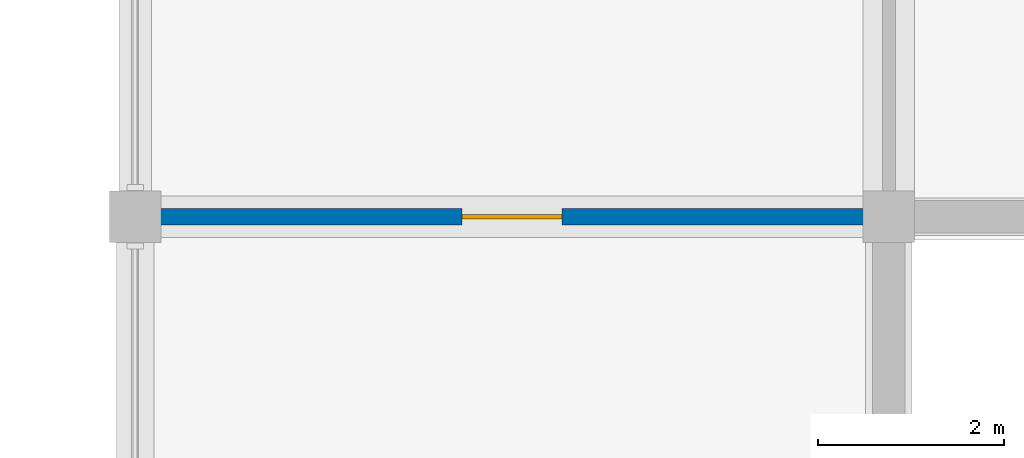
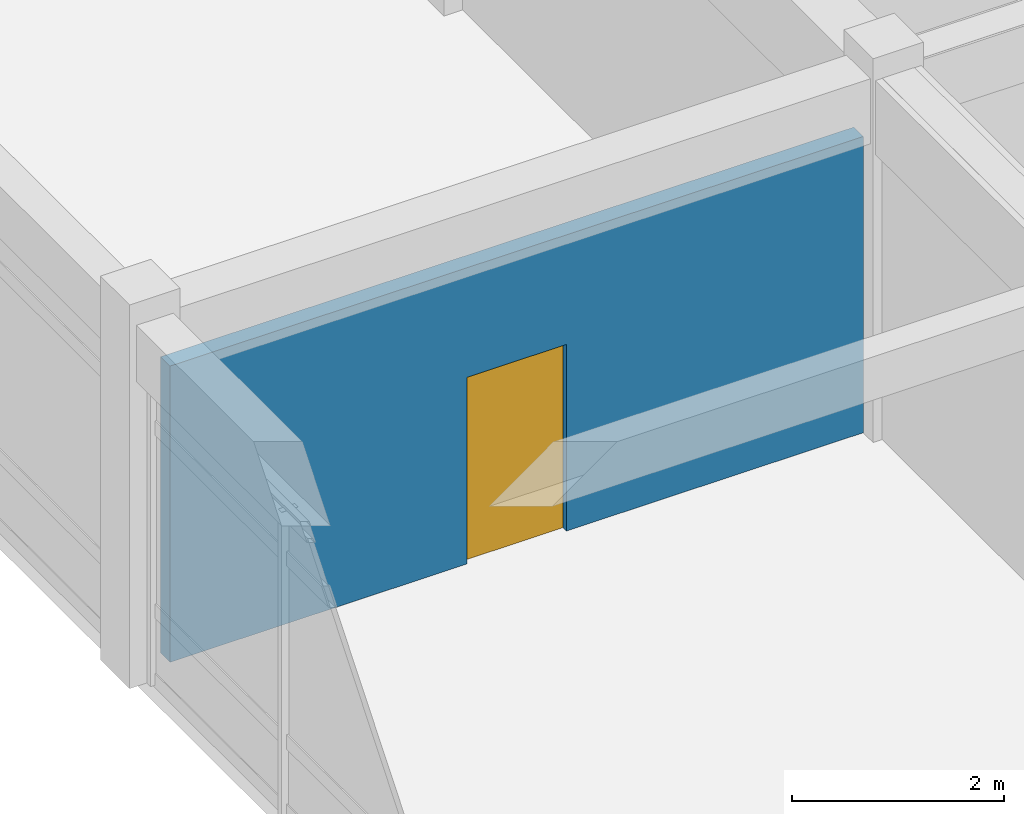
# One storey, part 25 of 33: 1 door, 1 wall, 1 opening.
"""IFC4 building model written with IfcOpenShell, lengths in metres."""

from ifc_helpers import new_model, si_unit, direction, frame, frame_2d, origin, place, context, subcontext, project, spatial, rectangle, extrude, material, layer, layer_set, type_object, element, fill, save


model = new_model("IFC4")

# Units and contexts
model_context = context("Model", 3, precision=1e-05, world=origin(), true_north=direction((0.0, 1.0)))
body_context = subcontext(model_context, "Body", "Model", "MODEL_VIEW")
ifc_project = project(units=[si_unit("LENGTHUNIT", "METRE"), si_unit("AREAUNIT", "SQUARE_METRE"), si_unit("VOLUMEUNIT", "CUBIC_METRE"), si_unit("PLANEANGLEUNIT", "RADIAN"), si_unit("MASSUNIT", "GRAM", prefix="KILO")], contexts=[model_context])

# Site, building, storey
site_placement = place(None, origin())
site = spatial("IfcSite", under=ifc_project, at=site_placement, CompositionType="ELEMENT")
building_placement = place(site_placement, origin())
building = spatial("IfcBuilding", under=site, at=building_placement, Name="Vaudrelin Polytechnic", CompositionType="ELEMENT")
storey_placement = place(building_placement, frame((0.0, 0.0, 27.3701171875)))
storey = spatial("IfcBuildingStorey", under=building, at=storey_placement, Name="L06", CompositionType="ELEMENT", Elevation=27.3701171875)

# Wall, opening, door
ifc_material_1 = material(Name="Acoustic double-stud gypsum & mineral-wool partition", Category="gypsum")
ifc_layer = layer(ifc_material_1, 0.179931640625)
ifc_layer_set = layer_set([ifc_layer], Name="Acoustic double-stud gypsum & mineral-wool partition")
wall_type = type_object("IfcWallType", Name="WAL-PW-AC180", PredefinedType="PARTITIONING", material=ifc_layer_set)
wall_placement = place(storey_placement, frame((137.972900390625, 48.60009765625, 0.0), z_axis=(0.0, 0.0, 1.0), x_axis=(1.0, 0.0, 0.0)))
wall = element("IfcWall", 1, at=wall_placement, inside=storey, type_object=wall_type, Name="Partition L06-001 N", PredefinedType="PARTITIONING", context=body_context, shape_type="SweptSolid", body=[
    extrude(rectangle(XDim=7.55419921875, YDim=0.179931640625, at=frame_2d((3.777099609375, 0.0))), origin(), (0.0, 0.0, 1.0), 3.411865234375),
])
opening_placement = place(wall_placement, frame((3.237060546875, 0.0, 0.0)))
opening = element("IfcOpeningElement", 2, at=opening_placement, cuts=wall, Name="Opening D-L06-560", PredefinedType="OPENING", context=body_context, shape_type="SweptSolid", body=[
    extrude(rectangle(XDim=1.080078125, YDim=2.14990234375, at=frame_2d((0.5400390625, 1.074951171875))), frame((0.0, 0.10009765625, 0.0), z_axis=(0.0, -1.0, 0.0), x_axis=(1.0, 0.0, 0.0)), (0.0, 0.0, 1.0), 0.199951171875),
])
ifc_material_2 = material(Name="Solid-core birch veneer acoustic leaf", Category="wood")
door_type = type_object("IfcDoorType", Name="DOR-ID-SEM2", OperationType="NOTDEFINED", PredefinedType="DOOR", material=ifc_material_2)
door_placement = place(opening_placement, origin())
door = element("IfcDoor", 3, at=door_placement, inside=storey, type_object=door_type, Name="South Terrace Seminar Lounge door L06-001", OperationType="SINGLE_SWING_RIGHT", OverallHeight=2.14990234375, OverallWidth=1.080078125, PredefinedType="DOOR", context=body_context, shape_type="SweptSolid", body=[
    extrude(rectangle(XDim=1.080078125, YDim=2.14990234375, at=frame_2d((0.5400390625, 1.074951171875))), frame((0.0, 0.02490234375, 0.0), z_axis=(0.0, -1.0, 0.0), x_axis=(1.0, 0.0, 0.0)), (0.0, 0.0, 1.0), 0.050048828125),
])
fill(opening, door)

save(model, "model.ifc")
